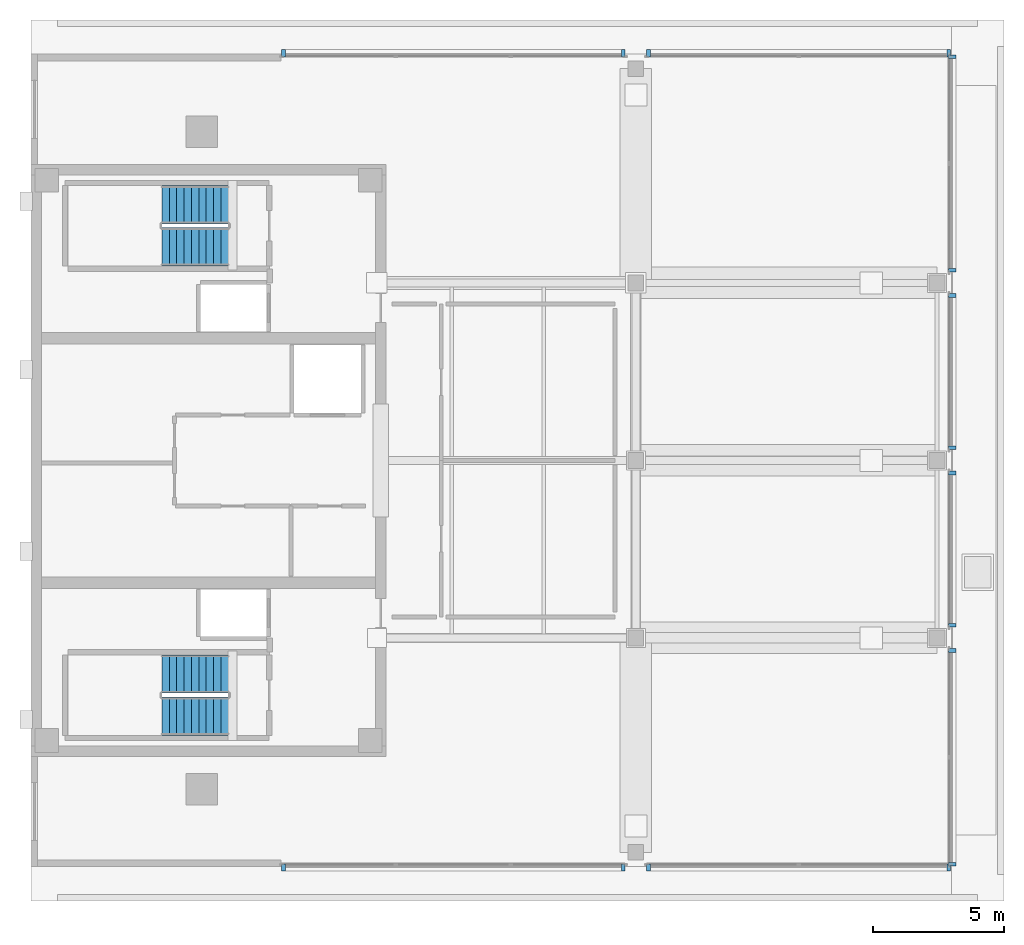
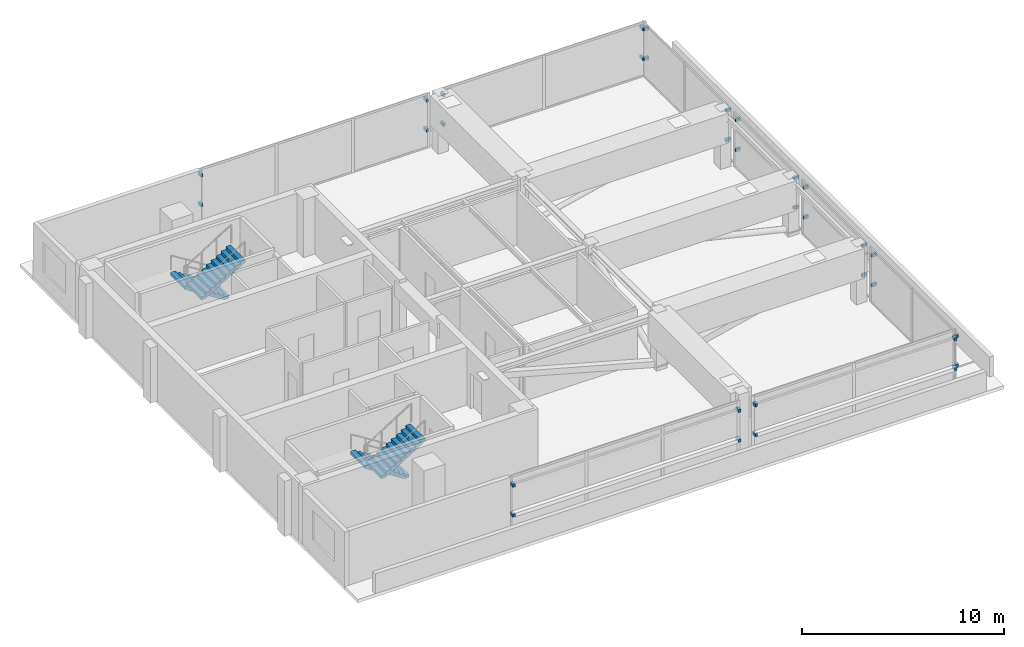
# One storey, part 7 of 11: 32 discrete accessories, 4 stair flights, 2 elements without a shape of their own.
"""IFC4 building model written with IfcOpenShell, lengths in metres."""

import ifcopenshell
import ifcopenshell.guid

model = None  # the IFC model being written
_history = None  # IfcOwnerHistory: only IFC2X3 demands one
_inside = {}  # id of a spatial element -> (the spatial element, [elements in it])
_under = {}  # id of a project, library or spatial element -> (it, [spatial elements below it])
_declared = {}  # id of a project -> (the project, [libraries it declares])
_typed = {}  # id of a type object -> (the type object, [elements of that type])
_made_of = {}  # id of a material, layer set ... -> (it, [elements and type objects made of it])


def new_model(schema):
    """Start an empty IFC model of exactly this schema.

    Asked for "IFC4X3", IfcOpenShell would pick the latest addendum, in which some entities
    have other attributes; the version numbers below select the first issue.
    IFC2X3 requires an IfcOwnerHistory on every rooted entity: one is made here for all.
    """
    global model, _history
    if schema == "IFC4X3":
        model = ifcopenshell.file(schema_version=(4, 3, 0, 0))
    else:
        model = ifcopenshell.file(schema=schema)
    _inside.clear()
    _under.clear()
    _declared.clear()
    _typed.clear()
    _made_of.clear()
    _history = None
    if model.schema == "IFC2X3":
        org = make("IfcOrganization", Name="unknown")
        user = make(
            "IfcPersonAndOrganization",
            ThePerson=make("IfcPerson", FamilyName="unknown"),
            TheOrganization=org,
        )
        app = make(
            "IfcApplication",
            ApplicationDeveloper=org,
            Version="unknown",
            ApplicationFullName="unknown",
            ApplicationIdentifier="unknown",
        )
        _history = make(
            "IfcOwnerHistory",
            OwningUser=user,
            OwningApplication=app,
            ChangeAction="ADDED",
            CreationDate=0,
        )
    return model


def make(cls, **values):
    """One entity of the class cls with the attributes given. An attribute that is None is left unset."""
    return model.create_entity(
        cls, **{name: value for name, value in values.items() if value is not None}
    )


def rooted(cls, **values):
    """An entity with a GlobalId (a new one), such as an element, a storey or a relation."""
    return make(cls, GlobalId=ifcopenshell.guid.new(), OwnerHistory=_history, **values)


def si_unit(unit_type, name, prefix=None):
    """IfcSIUnit, for example si_unit("LENGTHUNIT", "METRE", prefix="MILLI")."""
    return make("IfcSIUnit", UnitType=unit_type, Prefix=prefix, Name=name)


def assignment(units):
    """IfcUnitAssignment: the units of a project."""
    return None if units is None else make("IfcUnitAssignment", Units=units)


def point(xyz):
    """IfcCartesianPoint."""
    return None if xyz is None else make("IfcCartesianPoint", Coordinates=xyz)


def direction(xyz):
    """IfcDirection."""
    return None if xyz is None else make("IfcDirection", DirectionRatios=xyz)


def frame(location, z_axis=None, x_axis=None):
    """IfcAxis2Placement3D, a coordinate frame: its origin and axes. An axis left out is left unset."""
    return make(
        "IfcAxis2Placement3D",
        Location=point(location),
        Axis=direction(z_axis),
        RefDirection=direction(x_axis),
    )


def frame_2d(location, x_axis=None):
    """IfcAxis2Placement2D, a coordinate frame in the plane: its origin and x axis."""
    return make(
        "IfcAxis2Placement2D", Location=point(location), RefDirection=direction(x_axis)
    )


def origin():
    """The frame at (0, 0, 0) with its axes left unset."""
    return frame((0.0, 0.0, 0.0))


def origin_2d():
    """The frame at (0, 0) in the plane with its x axis left unset."""
    return frame_2d((0.0, 0.0))


def place(relative_to, where):
    """IfcLocalPlacement: puts the frame where relative to a parent placement (None: the world)."""
    return make(
        "IfcLocalPlacement", PlacementRelTo=relative_to, RelativePlacement=where
    )


def context(
    kind, dimensions, precision=None, world=None, true_north=None, identifier=None
):
    """IfcGeometricRepresentationContext, for example the 3D "Model" context."""
    return make(
        "IfcGeometricRepresentationContext",
        ContextIdentifier=identifier,
        ContextType=kind,
        CoordinateSpaceDimension=dimensions,
        Precision=precision,
        WorldCoordinateSystem=world,
        TrueNorth=true_north,
    )


def subcontext(parent, identifier, kind, view, scale=None):
    """IfcGeometricRepresentationSubContext, for example "Body" below "Model"."""
    return make(
        "IfcGeometricRepresentationSubContext",
        ContextIdentifier=identifier,
        ContextType=kind,
        ParentContext=parent,
        TargetScale=scale,
        TargetView=view,
    )


def project(units=None, contexts=None):
    """IfcProject with its units and contexts."""
    return rooted(
        "IfcProject",
        Name="project",
        RepresentationContexts=contexts,
        UnitsInContext=assignment(units),
    )


def spatial(cls, under=None, at=None, **own):
    """A site, building, storey or space (cls), placed at a placement, below another one or the project."""
    s = rooted(cls, ObjectPlacement=at, **own)
    if under is not None:
        _under.setdefault(under.id(), (under, []))[1].append(s)
    return s


def polyline(points):
    """IfcPolyline through the points."""
    return make("IfcPolyline", Points=[point(p) for p in points])


def profile(cls, at=None, kind="AREA", **sizes):
    """A parametric profile (cls). Its sizes go by their IFC names, for example OverallWidth=200.0."""
    return make(cls, ProfileType=kind, Position=at, **sizes)


def rectangle(**sizes):
    """IfcRectangleProfileDef."""
    return profile("IfcRectangleProfileDef", **sizes)


def outline(outer, holes=None, kind="AREA"):
    """IfcArbitraryClosedProfileDef: a profile drawn as a closed curve; with holes, ...WithVoids."""
    if holes is None:
        return make("IfcArbitraryClosedProfileDef", ProfileType=kind, OuterCurve=outer)
    return make(
        "IfcArbitraryProfileDefWithVoids",
        ProfileType=kind,
        OuterCurve=outer,
        InnerCurves=holes,
    )


def extrude(swept, where, along, depth):
    """IfcExtrudedAreaSolid: the profile swept, set in the frame where, extruded along a direction by depth."""
    return make(
        "IfcExtrudedAreaSolid",
        SweptArea=swept,
        Position=where,
        ExtrudedDirection=direction(along),
        Depth=depth,
    )


def shape(context_of_items, identifier, shape_type, items):
    """IfcShapeRepresentation: the items that make up one representation, for example the "Body"."""
    return make(
        "IfcShapeRepresentation",
        ContextOfItems=context_of_items,
        RepresentationIdentifier=identifier,
        RepresentationType=shape_type,
        Items=items,
    )


def material(Name=None, Category=None):
    """IfcMaterial."""
    return make("IfcMaterial", Name=Name, Category=Category)


def made_of(thing, what):
    """Note that an element or type object is made of a material, layer set ...; save() writes the relation."""
    if what is not None:
        _made_of.setdefault(what.id(), (what, []))[1].append(thing)
    return thing


def type_object(cls, material=None, **own):
    """A type object (cls), such as IfcWallType, which elements share."""
    return made_of(rooted(cls, **own), material)


def element(
    cls,
    number,
    at=None,
    inside=None,
    cuts=None,
    type_object=None,
    material=None,
    context=None,
    identifier="Body",
    shape_type=None,
    held_by="IfcProductDefinitionShape",
    body=None,
    shapes=None,
    **own,
):
    """One element of the class cls, such as IfcWall. Its Tag is "e" and its number.

    at: its placement. inside: the storey or other place that contains it. cuts: it is an
    opening in that element (IfcRelVoidsElement). A single representation is given by context,
    identifier, shape_type and body (its items); several are given by shapes. held_by: the class
    of the entity that holds the representations. save() writes the other relations.
    """
    e = rooted(cls, Tag="e%d" % number, ObjectPlacement=at, **own)
    if body is not None:
        shapes = [shape(context, identifier, shape_type, body)]
    if shapes is not None:
        e.Representation = make(held_by, Representations=shapes)
    if inside is not None:
        _inside.setdefault(inside.id(), (inside, []))[1].append(e)
    if cuts is not None:
        rooted(
            "IfcRelVoidsElement", RelatingBuildingElement=cuts, RelatedOpeningElement=e
        )
    if type_object is not None:
        _typed.setdefault(type_object.id(), (type_object, []))[1].append(e)
    return made_of(e, material)


def aggregate(whole, parts):
    """IfcRelAggregates: a whole, such as a stair, and the parts it consists of."""
    return rooted("IfcRelAggregates", RelatingObject=whole, RelatedObjects=parts)


def save(model, path):
    """Write the relations noted so far, then the file.

    IfcRelAggregates (storeys below a building ...), IfcRelContainedInSpatialStructure (elements
    in a storey), IfcRelDefinesByType, IfcRelAssociatesMaterial and IfcRelDeclares: one each for
    every whole, place, type object, material and project.
    """
    for whole, parts in _under.values():
        aggregate(whole, parts)
    for where, things in _inside.values():
        rooted(
            "IfcRelContainedInSpatialStructure",
            RelatedElements=things,
            RelatingStructure=where,
        )
    for kind, things in _typed.values():
        rooted("IfcRelDefinesByType", RelatedObjects=things, RelatingType=kind)
    for what, things in _made_of.values():
        rooted("IfcRelAssociatesMaterial", RelatedObjects=things, RelatingMaterial=what)
    for by, libraries in _declared.values():
        rooted("IfcRelDeclares", RelatingContext=by, RelatedDefinitions=libraries)
    model.write(path)


model = new_model("IFC4")

# Units and contexts
model_context = context("Model", 3, precision=1e-05, world=origin(), true_north=direction((0.0, 1.0)))
body_context = subcontext(model_context, "Body", "Model", "MODEL_VIEW")
ifc_project = project(units=[si_unit("LENGTHUNIT", "METRE"), si_unit("AREAUNIT", "SQUARE_METRE"), si_unit("VOLUMEUNIT", "CUBIC_METRE"), si_unit("PLANEANGLEUNIT", "RADIAN"), si_unit("MASSUNIT", "GRAM", prefix="KILO")], contexts=[model_context])

# Site, building, storey
site_placement = place(None, origin())
site = spatial("IfcSite", under=ifc_project, at=site_placement, CompositionType="ELEMENT")
building_placement = place(site_placement, origin())
building = spatial("IfcBuilding", under=site, at=building_placement, Name="Kinhvarn Gate Tower", CompositionType="ELEMENT")
storey_placement = place(building_placement, frame((0.0, 0.0, 307.550048828125)))
storey = spatial("IfcBuildingStorey", under=building, at=storey_placement, Name="L81", CompositionType="ELEMENT", Elevation=307.550048828125)

# Stair, stair flights
ifc_material_1 = material(Name="Concrete C40/50", Category="concrete")
stair_type = type_object("IfcStairType", Name="STR-DLG-175", PredefinedType="HALF_TURN_STAIR", material=ifc_material_1)
stair_1_placement = place(storey_placement, origin())
stair_1 = element("IfcStair", 1, at=stair_1_placement, inside=storey, type_object=stair_type, Name="L81 Core Smokeproof Exit Stair ST1", PredefinedType="HALF_TURN_STAIR")
stair_flight_type = type_object("IfcStairFlightType", Name="STF-DLG-175", PredefinedType="STRAIGHT", material=ifc_material_1)
stair_flight_1_placement = place(storey_placement, frame((12.0, 17.125, 0.0), z_axis=(0.0, 0.0, 1.0), x_axis=(-1.0, 0.0, 0.0)))
stair_flight_1 = element("IfcStairFlight", 2, at=stair_flight_1_placement, type_object=stair_flight_type, Name="ST1 flight 1", NumberOfRisers=10, NumberOfTreads=9, PredefinedType="STRAIGHT", RiserHeight=0.175, TreadLength=0.28, context=body_context, shape_type="SweptSolid", body=[
    extrude(outline(polyline([(0.0, 0.0), (0.0, 0.175048828125), (0.280029296875, 0.175048828125), (0.280029296875, 0.35009765625), (0.56005859375, 0.35009765625), (0.56005859375, 0.52490234375), (0.840087890625, 0.52490234375), (0.840087890625, 0.699951171875), (1.1201171875, 0.699951171875), (1.1201171875, 0.875), (1.39990234375, 0.875), (1.39990234375, 1.050048828125), (1.679931640625, 1.050048828125), (1.679931640625, 1.22509765625), (1.9599609375, 1.22509765625), (1.9599609375, 1.39990234375), (2.239990234375, 1.39990234375), (2.239990234375, 1.574951171875), (2.52001953125, 1.574951171875), (2.52001953125, 1.75), (2.52001953125, 1.398193359375), (0.28271484375, 0.0), (0.0, 0.0)])), frame((0.0, 0.72509765625, 0.0), z_axis=(0.0, -1.0, 0.0), x_axis=(1.0, 0.0, 0.0)), (0.0, 0.0, 1.0), 1.449951171875),
])
stair_flight_2_placement = place(storey_placement, frame((9.47998046875, 15.52490234375, 1.75), z_axis=(0.0, 0.0, 1.0), x_axis=(1.0, 0.0, 0.0)))
stair_flight_2 = element("IfcStairFlight", 3, at=stair_flight_2_placement, type_object=stair_flight_type, Name="ST1 flight 2", NumberOfRisers=10, NumberOfTreads=9, PredefinedType="STRAIGHT", RiserHeight=0.175, TreadLength=0.28, context=body_context, shape_type="SweptSolid", body=[
    extrude(outline(polyline([(0.0, 0.0), (0.0, 0.175048828125), (0.280029296875, 0.175048828125), (0.280029296875, 0.35009765625), (0.56005859375, 0.35009765625), (0.56005859375, 0.52490234375), (0.840087890625, 0.52490234375), (0.840087890625, 0.699951171875), (1.1201171875, 0.699951171875), (1.1201171875, 0.875), (1.39990234375, 0.875), (1.39990234375, 1.050048828125), (1.679931640625, 1.050048828125), (1.679931640625, 1.22509765625), (1.9599609375, 1.22509765625), (1.9599609375, 1.39990234375), (2.239990234375, 1.39990234375), (2.239990234375, 1.574951171875), (2.52001953125, 1.574951171875), (2.52001953125, 1.75), (2.52001953125, 1.398193359375), (0.28271484375, 0.0), (0.0, 0.0)])), frame((0.0, 0.72509765625, 0.0), z_axis=(0.0, -1.0, 0.0), x_axis=(1.0, 0.0, 0.0)), (0.0, 0.0, 1.0), 1.449951171875),
])
aggregate(stair_1, [stair_flight_1, stair_flight_2])

stair_2_placement = place(storey_placement, origin())
stair_2 = element("IfcStair", 4, at=stair_2_placement, inside=storey, type_object=stair_type, Name="L81 Core Smokeproof Exit Stair ST2", PredefinedType="HALF_TURN_STAIR")
stair_flight_3_placement = place(storey_placement, frame((12.0, 34.97509765625, 0.0), z_axis=(0.0, 0.0, 1.0), x_axis=(-1.0, 0.0, 0.0)))
stair_flight_3 = element("IfcStairFlight", 5, at=stair_flight_3_placement, type_object=stair_flight_type, Name="ST2 flight 1", NumberOfRisers=10, NumberOfTreads=9, PredefinedType="STRAIGHT", RiserHeight=0.175, TreadLength=0.28, context=body_context, shape_type="SweptSolid", body=[
    extrude(outline(polyline([(0.0, 0.0), (0.0, 0.175048828125), (0.280029296875, 0.175048828125), (0.280029296875, 0.35009765625), (0.56005859375, 0.35009765625), (0.56005859375, 0.52490234375), (0.840087890625, 0.52490234375), (0.840087890625, 0.699951171875), (1.1201171875, 0.699951171875), (1.1201171875, 0.875), (1.39990234375, 0.875), (1.39990234375, 1.050048828125), (1.679931640625, 1.050048828125), (1.679931640625, 1.22509765625), (1.9599609375, 1.22509765625), (1.9599609375, 1.39990234375), (2.239990234375, 1.39990234375), (2.239990234375, 1.574951171875), (2.52001953125, 1.574951171875), (2.52001953125, 1.75), (2.52001953125, 1.398193359375), (0.28271484375, 0.0), (0.0, 0.0)])), frame((0.0, 0.72509765625, 0.0), z_axis=(0.0, -1.0, 0.0), x_axis=(1.0, 0.0, 0.0)), (0.0, 0.0, 1.0), 1.449951171875),
])
stair_flight_4_placement = place(storey_placement, frame((9.47998046875, 33.375, 1.75), z_axis=(0.0, 0.0, 1.0), x_axis=(1.0, 0.0, 0.0)))
stair_flight_4 = element("IfcStairFlight", 6, at=stair_flight_4_placement, type_object=stair_flight_type, Name="ST2 flight 2", NumberOfRisers=10, NumberOfTreads=9, PredefinedType="STRAIGHT", RiserHeight=0.175, TreadLength=0.28, context=body_context, shape_type="SweptSolid", body=[
    extrude(outline(polyline([(0.0, 0.0), (0.0, 0.175048828125), (0.280029296875, 0.175048828125), (0.280029296875, 0.35009765625), (0.56005859375, 0.35009765625), (0.56005859375, 0.52490234375), (0.840087890625, 0.52490234375), (0.840087890625, 0.699951171875), (1.1201171875, 0.699951171875), (1.1201171875, 0.875), (1.39990234375, 0.875), (1.39990234375, 1.050048828125), (1.679931640625, 1.050048828125), (1.679931640625, 1.22509765625), (1.9599609375, 1.22509765625), (1.9599609375, 1.39990234375), (2.239990234375, 1.39990234375), (2.239990234375, 1.574951171875), (2.52001953125, 1.574951171875), (2.52001953125, 1.75), (2.52001953125, 1.398193359375), (0.28271484375, 0.0), (0.0, 0.0)])), frame((0.0, 0.72509765625, 0.0), z_axis=(0.0, -1.0, 0.0), x_axis=(1.0, 0.0, 0.0)), (0.0, 0.0, 1.0), 1.449951171875),
])
aggregate(stair_2, [stair_flight_3, stair_flight_4])

# Discrete accessories
ifc_material_2 = material(Name="Anodised aluminium AW-6063", Category="aluminium")
discrete_accessory_type = type_object("IfcDiscreteAccessoryType", Name="ACC-BRK-01", PredefinedType="BRACKET", material=ifc_material_2)
for number, where, z_axis, x_axis, name in (
    (7, (14.10009765625, 9.77001953125, 0.9599609375), (0.0, 0.0, 1.0), (1.0, 0.0, 0.0), "Baguette Support Bracket BK-01 (L81)"),
    (8, (14.10009765625, 9.77001953125, 2.759765625), (0.0, 0.0, 1.0), (1.0, 0.0, 0.0), "Baguette Support Bracket BK-01 (L81)"),
    (9, (27.02001953125, 9.77001953125, 0.9599609375), (0.0, 0.0, 1.0), (1.0, 0.0, 0.0), "Baguette Support Bracket BK-01 (L81)"),
    (10, (27.02001953125, 9.77001953125, 2.759765625), (0.0, 0.0, 1.0), (1.0, 0.0, 0.0), "Baguette Support Bracket BK-01 (L81)"),
    (11, (27.97998046875, 9.77001953125, 0.9599609375), (0.0, 0.0, 1.0), (1.0, 0.0, 0.0), "Baguette Support Bracket BK-01 (L81)"),
    (12, (27.97998046875, 9.77001953125, 2.759765625), (0.0, 0.0, 1.0), (1.0, 0.0, 0.0), "Baguette Support Bracket BK-01 (L81)"),
    (13, (39.39990234375, 9.77001953125, 0.9599609375), (0.0, 0.0, 1.0), (1.0, 0.0, 0.0), "Baguette Support Bracket BK-01 (L81)"),
    (14, (39.39990234375, 9.77001953125, 2.759765625), (0.0, 0.0, 1.0), (1.0, 0.0, 0.0), "Baguette Support Bracket BK-01 (L81)"),
    (15, (39.39990234375, 40.72998046875, 0.9599609375), (0.0, 0.0, 1.0), (-1.0, 0.0, 0.0), "Baguette Support Bracket BK-01 (L81)"),
    (16, (39.39990234375, 40.72998046875, 2.759765625), (0.0, 0.0, 1.0), (-1.0, 0.0, 0.0), "Baguette Support Bracket BK-01 (L81)"),
    (17, (27.97998046875, 40.72998046875, 0.9599609375), (0.0, 0.0, 1.0), (-1.0, 0.0, 0.0), "Baguette Support Bracket BK-01 (L81)"),
    (18, (27.97998046875, 40.72998046875, 2.759765625), (0.0, 0.0, 1.0), (-1.0, 0.0, 0.0), "Baguette Support Bracket BK-01 (L81)"),
    (19, (27.02001953125, 40.72998046875, 0.9599609375), (0.0, 0.0, 1.0), (-1.0, 0.0, 0.0), "Baguette Support Bracket BK-01 (L81)"),
    (20, (27.02001953125, 40.72998046875, 2.759765625), (0.0, 0.0, 1.0), (-1.0, 0.0, 0.0), "Baguette Support Bracket BK-01 (L81)"),
    (21, (14.10009765625, 40.72998046875, 0.9599609375), (0.0, 0.0, 1.0), (-1.0, 0.0, 0.0), "Baguette Support Bracket BK-01 (L81)"),
    (22, (14.10009765625, 40.72998046875, 2.759765625), (0.0, 0.0, 1.0), (-1.0, 0.0, 0.0), "Baguette Support Bracket BK-01 (L81)"),
    (23, (39.530029296875, 9.89990234375, 0.9599609375), (0.0, 0.0, 1.0), (0.0, 1.0, 0.0), "Baguette Support Bracket BK-01 (L81)"),
    (24, (39.530029296875, 9.89990234375, 2.759765625), (0.0, 0.0, 1.0), (0.0, 1.0, 0.0), "Baguette Support Bracket BK-01 (L81)"),
    (25, (39.530029296875, 18.02001953125, 0.9599609375), (0.0, 0.0, 1.0), (0.0, 1.0, 0.0), "Baguette Support Bracket BK-01 (L81)"),
    (26, (39.530029296875, 18.02001953125, 2.759765625), (0.0, 0.0, 1.0), (0.0, 1.0, 0.0), "Baguette Support Bracket BK-01 (L81)"),
    (27, (39.530029296875, 18.97998046875, 0.9599609375), (0.0, 0.0, 1.0), (0.0, 1.0, 0.0), "Baguette Support Bracket BK-01 (L81)"),
    (28, (39.530029296875, 18.97998046875, 2.759765625), (0.0, 0.0, 1.0), (0.0, 1.0, 0.0), "Baguette Support Bracket BK-01 (L81)"),
    (29, (39.530029296875, 24.77001953125, 0.9599609375), (0.0, 0.0, 1.0), (0.0, 1.0, 0.0), "Baguette Support Bracket BK-01 (L81)"),
    (30, (39.530029296875, 24.77001953125, 2.759765625), (0.0, 0.0, 1.0), (0.0, 1.0, 0.0), "Baguette Support Bracket BK-01 (L81)"),
    (31, (39.530029296875, 25.72998046875, 0.9599609375), (0.0, 0.0, 1.0), (0.0, 1.0, 0.0), "Baguette Support Bracket BK-01 (L81)"),
    (32, (39.530029296875, 25.72998046875, 2.759765625), (0.0, 0.0, 1.0), (0.0, 1.0, 0.0), "Baguette Support Bracket BK-01 (L81)"),
    (33, (39.530029296875, 31.52001953125, 0.9599609375), (0.0, 0.0, 1.0), (0.0, 1.0, 0.0), "Baguette Support Bracket BK-01 (L81)"),
    (34, (39.530029296875, 31.52001953125, 2.759765625), (0.0, 0.0, 1.0), (0.0, 1.0, 0.0), "Baguette Support Bracket BK-01 (L81)"),
    (35, (39.530029296875, 32.47998046875, 0.9599609375), (0.0, 0.0, 1.0), (0.0, 1.0, 0.0), "Baguette Support Bracket BK-01 (L81)"),
    (36, (39.530029296875, 32.47998046875, 2.759765625), (0.0, 0.0, 1.0), (0.0, 1.0, 0.0), "Baguette Support Bracket BK-01 (L81)"),
    (37, (39.530029296875, 40.60009765625, 0.9599609375), (0.0, 0.0, 1.0), (0.0, 1.0, 0.0), "Baguette Support Bracket BK-01 (L81)"),
    (38, (39.530029296875, 40.60009765625, 2.759765625), (0.0, 0.0, 1.0), (0.0, 1.0, 0.0), "Baguette Support Bracket BK-01 (L81)"),
):
    element("IfcDiscreteAccessory", number, at=place(storey_placement, frame(where, z_axis=z_axis, x_axis=x_axis)), inside=storey, type_object=discrete_accessory_type, Name=name, PredefinedType="BRACKET", context=body_context, shape_type="SweptSolid", body=[
        extrude(rectangle(XDim=0.139892578125, YDim=0.280029296875, at=origin_2d()), origin(), (0.0, 0.0, 1.0), 0.179931640625),
    ])

save(model, "model.ifc")
